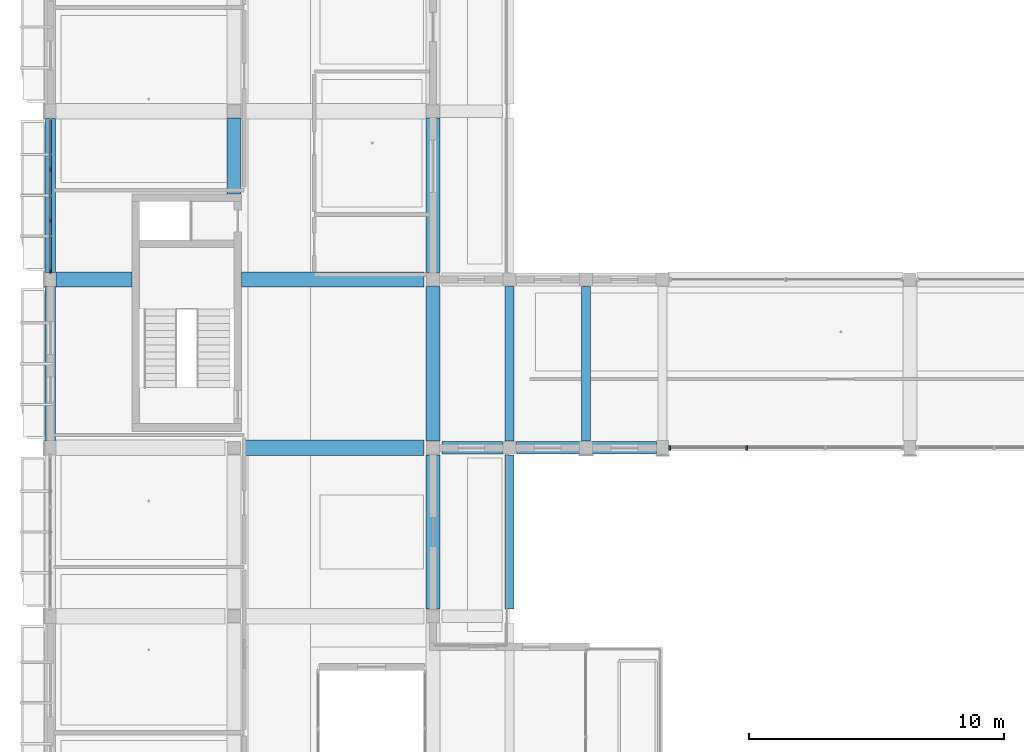
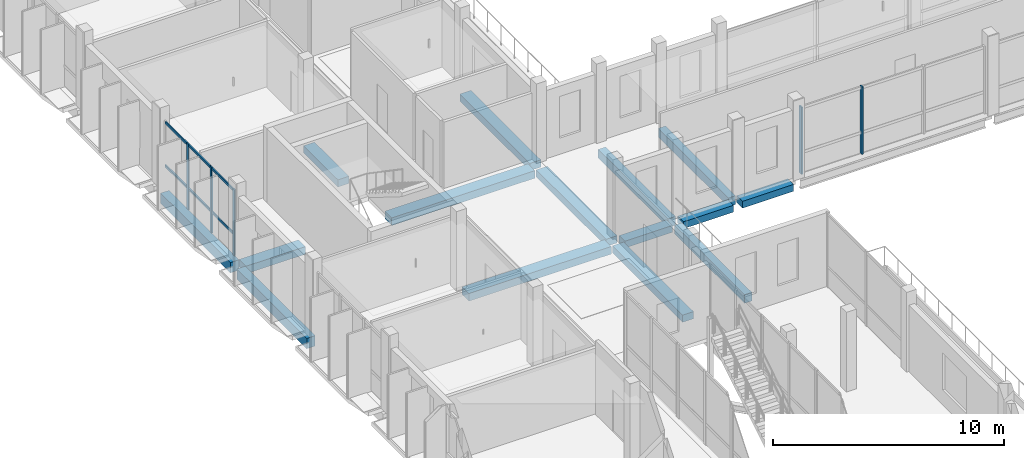
# One storey, part 12 of 85: 15 beams, 7 members, 2 elements without a shape of their own.
"""IFC4 building model written with IfcOpenShell, lengths in metres."""

from ifc_helpers import new_model, si_unit, derived_unit, direction, frame, origin, origin_2d, place, context, subcontext, project, spatial, rectangle, extrude, material, material_profile, profile_set, type_object, element, aggregate, save


model = new_model("IFC4")

# Units and contexts
model_context = context("Model", 3, precision=1e-05, world=origin(), true_north=direction((0.0, 1.0)))
body_context = subcontext(model_context, "Body", "Model", "MODEL_VIEW")
ifc_project = project(units=[si_unit("LENGTHUNIT", "METRE"), si_unit("AREAUNIT", "SQUARE_METRE"), si_unit("VOLUMEUNIT", "CUBIC_METRE"), si_unit("PLANEANGLEUNIT", "RADIAN"), si_unit("MASSUNIT", "GRAM", prefix="KILO"), derived_unit("THERMALTRANSMITTANCEUNIT", [(si_unit("POWERUNIT", "WATT"), 1), (si_unit("LENGTHUNIT", "METRE"), -2), (si_unit("THERMODYNAMICTEMPERATUREUNIT", "KELVIN"), -1)])], contexts=[model_context])

# Site, building, storey
site_placement = place(None, origin())
site = spatial("IfcSite", under=ifc_project, at=site_placement, CompositionType="ELEMENT")
building_placement = place(site_placement, origin())
building = spatial("IfcBuilding", under=site, at=building_placement, Name="Braskholm Square Health Centre", CompositionType="ELEMENT")
storey_placement = place(building_placement, frame((0.0, 0.0, 9.300048828125)))
storey = spatial("IfcBuildingStorey", under=building, at=storey_placement, Name="L03", CompositionType="ELEMENT", Elevation=9.300048828125)

# Curtain wall, members
ifc_material_1 = material(Name="Low-E triple insulating glass (VLT 0.64)", Category="glass")
curtain_wall_type = type_object("IfcCurtainWallType", Name="UnitisedCurtainWall6200x3650", PredefinedType="NOTDEFINED", material=ifc_material_1)
curtain_wall_1_placement = place(storey_placement, origin())
curtain_wall_1 = element("IfcCurtainWall", 1, at=curtain_wall_1_placement, inside=storey, type_object=curtain_wall_type, Name="West Outer unitised curtain wall CW-L03-0020", PredefinedType="NOTDEFINED")
ifc_material_2 = material(Name="Architectural bronze anodised aluminium", Category="aluminium")
ifc_material_profile_1 = material_profile(ifc_material_2, rectangle(XDim=0.06494140625, YDim=0.14990234375, at=origin_2d()), Name="ALU-65X150")
ifc_profile_set_1 = profile_set([ifc_material_profile_1], Name="Architectural bronze anodised aluminium")
member_type_1 = type_object("IfcMemberType", Name="CurtainWallMullion65x150", PredefinedType="MULLION", material=ifc_profile_set_1)
member_1_placement = place(storey_placement, frame((4.199951171875, 98.103271484375, 0.0), z_axis=(0.0, 0.0, 1.0), x_axis=(1.0, 0.0, 0.0)))
member_1 = element("IfcMember", 2, at=member_1_placement, type_object=member_type_1, Name="CW-L03-0020 vertical mullion 2", PredefinedType="MULLION", context=body_context, shape_type="SweptSolid", body=[
    extrude(rectangle(XDim=0.06494140625, YDim=0.14990234375, at=origin_2d()), origin(), (0.0, 0.0, 1.0), 3.47998046875),
])
member_2_placement = place(storey_placement, frame((4.199951171875, 96.0966796875, 0.0), z_axis=(0.0, 0.0, 1.0), x_axis=(1.0, 0.0, 0.0)))
member_2 = element("IfcMember", 3, at=member_2_placement, type_object=member_type_1, Name="CW-L03-0020 vertical mullion 3", PredefinedType="MULLION", context=body_context, shape_type="SweptSolid", body=[
    extrude(rectangle(XDim=0.06494140625, YDim=0.14990234375, at=origin_2d()), origin(), (0.0, 0.0, 1.0), 3.47998046875),
])
member_3_placement = place(storey_placement, frame((4.199951171875, 94.126220703125, 0.0), z_axis=(0.0, 0.0, 1.0), x_axis=(1.0, 0.0, 0.0)))
member_3 = element("IfcMember", 4, at=member_3_placement, type_object=member_type_1, Name="CW-L03-0020 vertical mullion 4", PredefinedType="MULLION", context=body_context, shape_type="SweptSolid", body=[
    extrude(rectangle(XDim=0.06494140625, YDim=0.14990234375, at=origin_2d()), origin(), (0.0, 0.0, 1.0), 3.47998046875),
])

curtain_wall_2_placement = place(storey_placement, origin())
curtain_wall_2 = element("IfcCurtainWall", 5, at=curtain_wall_2_placement, inside=storey, type_object=curtain_wall_type, Name="Hall Clerestory L03 unitised curtain wall CW-L03-0173", PredefinedType="NOTDEFINED")
ifc_material_profile_2 = material_profile(ifc_material_2, rectangle(XDim=0.074951171875, YDim=0.179931640625, at=origin_2d()), Name="ALU-75X180")
ifc_profile_set_2 = profile_set([ifc_material_profile_2], Name="Architectural bronze anodised aluminium")
member_type_2 = type_object("IfcMemberType", Name="CurtainWallMullion75x180", PredefinedType="MULLION", material=ifc_profile_set_2)
member_4_placement = place(storey_placement, frame((28.4873046875, 87.199951171875, 0.0), z_axis=(0.0, 0.0, 1.0), x_axis=(1.0, 0.0, 0.0)))
member_4 = element("IfcMember", 6, at=member_4_placement, type_object=member_type_2, Name="CW-L03-0173 vertical mullion 1", PredefinedType="MULLION", context=body_context, shape_type="SweptSolid", body=[
    extrude(rectangle(XDim=0.074951171875, YDim=0.179931640625, at=origin_2d()), origin(), (0.0, 0.0, 1.0), 3.550048828125),
])
member_5_placement = place(storey_placement, frame((31.5107421875, 87.199951171875, 0.0), z_axis=(0.0, 0.0, 1.0), x_axis=(1.0, 0.0, 0.0)))
member_5 = element("IfcMember", 7, at=member_5_placement, type_object=member_type_2, Name="CW-L03-0173 vertical mullion 2", PredefinedType="MULLION", context=body_context, shape_type="SweptSolid", body=[
    extrude(rectangle(XDim=0.074951171875, YDim=0.179931640625, at=origin_2d()), origin(), (0.0, 0.0, 1.0), 3.550048828125),
])
aggregate(curtain_wall_2, [member_4, member_5])

# Member
ifc_material_profile_3 = material_profile(ifc_material_2, rectangle(XDim=0.06494140625, YDim=0.1201171875, at=origin_2d()), Name="ALU-65X120")
ifc_profile_set_3 = profile_set([ifc_material_profile_3], Name="Architectural bronze anodised aluminium")
member_type_3 = type_object("IfcMemberType", Name="CurtainWallTransom65x120", PredefinedType="USERDEFINED", material=ifc_profile_set_3)
member_6_placement = place(storey_placement, frame((4.199951171875, 100.06494140625, 1.119873046875), z_axis=(0.0, -1.0, 0.0), x_axis=(1.0, 0.0, 0.0)))
member_6 = element("IfcMember", 8, at=member_6_placement, type_object=member_type_3, Name="CW-L03-0020 horizontal transom 1", ObjectType="TRANSOM", PredefinedType="USERDEFINED", context=body_context, shape_type="SweptSolid", body=[
    extrude(rectangle(XDim=0.06494140625, YDim=0.1201171875, at=origin_2d()), origin(), (0.0, 0.0, 1.0), 5.929931640625),
])

member_7_placement = place(storey_placement, frame((4.199951171875, 100.06494140625, 3.409912109375), z_axis=(0.0, -1.0, 0.0), x_axis=(1.0, 0.0, 0.0)))
member_7 = element("IfcMember", 9, at=member_7_placement, type_object=member_type_3, Name="CW-L03-0020 horizontal transom 2", ObjectType="TRANSOM", PredefinedType="USERDEFINED", context=body_context, shape_type="SweptSolid", body=[
    extrude(rectangle(XDim=0.06494140625, YDim=0.1201171875, at=origin_2d()), origin(), (0.0, 0.0, 1.0), 5.929931640625),
])

aggregate(curtain_wall_1, [member_1, member_2, member_3, member_6, member_7])

# Beams
ifc_material_3 = material(Name="Concrete C35/45 (f'c = 35 MPa)", Category="concrete")
ifc_material_profile_4 = material_profile(ifc_material_3, rectangle(XDim=0.5, YDim=0.360107421875, at=origin_2d()), Name="RCB-500X360")
ifc_profile_set_4 = profile_set([ifc_material_profile_4], Name="Concrete C35/45 (f'c = 35 MPa)")
beam_type_1 = type_object("IfcBeamType", Name="PrimaryBandBeam500x360", PredefinedType="BEAM", material=ifc_profile_set_4)
beam_1_placement = place(storey_placement, frame((19.550048828125, 87.199951171875, -0.47998046875), z_axis=(1.0, 0.0, 0.0), x_axis=(0.0, 1.0, 0.0)))
element("IfcBeam", 10, at=beam_1_placement, inside=storey, type_object=beam_type_1, Name="Beam 3-4/N L03", PredefinedType="BEAM", context=body_context, shape_type="SweptSolid", body=[
    extrude(rectangle(XDim=0.5, YDim=0.360107421875, at=origin_2d()), origin(), (0.0, 0.0, 1.0), 2.375),
])
beam_2_placement = place(storey_placement, frame((22.47509765625, 87.199951171875, -0.47998046875), z_axis=(1.0, 0.0, 0.0), x_axis=(0.0, 1.0, 0.0)))
element("IfcBeam", 11, at=beam_2_placement, inside=storey, type_object=beam_type_1, Name="Beam 4-5/N L03", PredefinedType="BEAM", context=body_context, shape_type="SweptSolid", body=[
    extrude(rectangle(XDim=0.5, YDim=0.360107421875, at=origin_2d()), origin(), (0.0, 0.0, 1.0), 2.5048828125),
])
beam_3_placement = place(storey_placement, frame((25.419921875, 87.199951171875, -0.429931640625), z_axis=(1.0, 0.0, 0.0), x_axis=(0.0, 1.0, 0.0)))
element("IfcBeam", 12, at=beam_3_placement, inside=storey, type_object=beam_type_1, Name="Beam 5-6/N L03", PredefinedType="BEAM", context=body_context, shape_type="SweptSolid", body=[
    extrude(rectangle(XDim=0.5, YDim=0.360107421875, at=origin_2d()), origin(), (0.0, 0.0, 1.0), 2.550048828125),
])
ifc_material_profile_5 = material_profile(ifc_material_3, rectangle(XDim=0.550048828125, YDim=0.3798828125, at=origin_2d()), Name="RCB-550X380")
ifc_profile_set_5 = profile_set([ifc_material_profile_5], Name="Concrete C35/45 (f'c = 35 MPa)")
beam_type_2 = type_object("IfcBeamType", Name="PrimaryBandBeam550x380", PredefinedType="BEAM", material=ifc_profile_set_5)
beam_4_placement = place(storey_placement, frame((11.39990234375, 97.14990234375, -0.489990234375), z_axis=(0.0, 1.0, 0.0), x_axis=(-1.0, 0.0, 0.0)))
element("IfcBeam", 13, at=beam_4_placement, inside=storey, type_object=beam_type_2, Name="Beam 2/N-Q L03", PredefinedType="BEAM", context=body_context, shape_type="SweptSolid", body=[
    extrude(rectangle(XDim=0.550048828125, YDim=0.3798828125, at=origin_2d()), origin(), (0.0, 0.0, 1.0), 2.97509765625),
])
beam_5_placement = place(storey_placement, frame((19.199951171875, 80.875, -0.489990234375), z_axis=(0.0, 1.0, 0.0), x_axis=(-1.0, 0.0, 0.0)))
element("IfcBeam", 14, at=beam_5_placement, inside=storey, type_object=beam_type_2, Name="Beam 3/M-N L03", PredefinedType="BEAM", context=body_context, shape_type="SweptSolid", body=[
    extrude(rectangle(XDim=0.550048828125, YDim=0.3798828125, at=origin_2d()), origin(), (0.0, 0.0, 1.0), 6.050048828125),
])
beam_6_placement = place(storey_placement, frame((19.199951171875, 87.47509765625, -0.489990234375), z_axis=(0.0, 1.0, 0.0), x_axis=(-1.0, 0.0, 0.0)))
element("IfcBeam", 15, at=beam_6_placement, inside=storey, type_object=beam_type_2, Name="Beam 3/N-P L03", PredefinedType="BEAM", context=body_context, shape_type="SweptSolid", body=[
    extrude(rectangle(XDim=0.550048828125, YDim=0.3798828125, at=origin_2d()), origin(), (0.0, 0.0, 1.0), 6.0498046875),
])
beam_7_placement = place(storey_placement, frame((19.199951171875, 94.074951171875, -0.489990234375), z_axis=(0.0, 1.0, 0.0), x_axis=(-1.0, 0.0, 0.0)))
element("IfcBeam", 16, at=beam_7_placement, inside=storey, type_object=beam_type_2, Name="Beam 3/P-Q L03", PredefinedType="BEAM", context=body_context, shape_type="SweptSolid", body=[
    extrude(rectangle(XDim=0.550048828125, YDim=0.3798828125, at=origin_2d()), origin(), (0.0, 0.0, 1.0), 6.050048828125),
])
ifc_material_profile_6 = material_profile(ifc_material_3, rectangle(XDim=0.60009765625, YDim=0.39990234375, at=origin_2d()), Name="RCB-600X400")
ifc_profile_set_6 = profile_set([ifc_material_profile_6], Name="Concrete C35/45 (f'c = 35 MPa)")
beam_type_3 = type_object("IfcBeamType", Name="PrimaryBandBeam600x400", PredefinedType="BEAM", material=ifc_profile_set_6)
beam_8_placement = place(storey_placement, frame((11.75, 87.199951171875, -0.5), z_axis=(1.0, 0.0, 0.0), x_axis=(0.0, 1.0, 0.0)))
element("IfcBeam", 17, at=beam_8_placement, inside=storey, type_object=beam_type_3, Name="Beam 2-3/N L03", PredefinedType="BEAM", context=body_context, shape_type="SweptSolid", body=[
    extrude(rectangle(XDim=0.60009765625, YDim=0.39990234375, at=origin_2d()), origin(), (0.0, 0.0, 1.0), 7.10009765625),
])
beam_9_placement = place(storey_placement, frame((4.429931640625, 93.800048828125, -0.5), z_axis=(1.0, 0.0, 0.0), x_axis=(0.0, 1.0, 0.0)))
element("IfcBeam", 18, at=beam_9_placement, inside=storey, type_object=beam_type_3, Name="Beam 1-3/P L03", PredefinedType="BEAM", context=body_context, shape_type="SweptSolid", body=[
    extrude(rectangle(XDim=0.60009765625, YDim=0.39990234375, at=origin_2d()), origin(), (0.0, 0.0, 1.0), 2.969970703125),
])
beam_10_placement = place(storey_placement, frame((11.699951171875, 93.800048828125, -0.5), z_axis=(1.0, 0.0, 0.0), x_axis=(0.0, 1.0, 0.0)))
element("IfcBeam", 19, at=beam_10_placement, inside=storey, type_object=beam_type_3, Name="Beam 1-3/P L03", PredefinedType="BEAM", context=body_context, shape_type="SweptSolid", body=[
    extrude(rectangle(XDim=0.60009765625, YDim=0.39990234375, at=origin_2d()), origin(), (0.0, 0.0, 1.0), 7.150146484375),
])
ifc_material_4 = material(Name="Precast concrete C40/50 architectural white", Category="concrete")
ifc_material_profile_7 = material_profile(ifc_material_4, rectangle(XDim=0.419921875, YDim=0.550048828125, at=origin_2d()), Name="RCB-420X550")
ifc_profile_set_7 = profile_set([ifc_material_profile_7], Name="Precast concrete C40/50 architectural white")
beam_type_4 = type_object("IfcBeamType", Name="SpandrelPrecastLedge420x550", PredefinedType="SPANDREL", material=ifc_profile_set_7)
for number, where, z_axis, x_axis, name in (
    (20, (4.199951171875, 87.47998046875, -0.574951171875), (0.0, 1.0, 0.0), (-1.0, 0.0, 0.0), "Beam 1/N-P L03"),
    (21, (4.199951171875, 94.080078125, -0.574951171875), (0.0, 1.0, 0.0), (-1.0, 0.0, 0.0), "Beam 1/P-Q L03"),
):
    element("IfcBeam", number, at=place(storey_placement, frame(where, z_axis=z_axis, x_axis=x_axis)), inside=storey, type_object=beam_type_4, Name=name, PredefinedType="SPANDREL", context=body_context, shape_type="SweptSolid", body=[
        extrude(rectangle(XDim=0.419921875, YDim=0.550048828125, at=origin_2d()), origin(), (0.0, 0.0, 1.0), 6.0400390625),
    ])
ifc_material_profile_8 = material_profile(ifc_material_4, rectangle(XDim=0.360107421875, YDim=0.4599609375, at=origin_2d()), Name="RCB-360X460")
ifc_profile_set_8 = profile_set([ifc_material_profile_8], Name="Precast concrete C40/50 architectural white")
beam_type_5 = type_object("IfcBeamType", Name="SpandrelTerraceEdge360x460", PredefinedType="SPANDREL", material=ifc_profile_set_8)
beam_11_placement = place(storey_placement, frame((22.199951171875, 80.875, -0.530029296875), z_axis=(0.0, 1.0, 0.0), x_axis=(-1.0, 0.0, 0.0)))
element("IfcBeam", 22, at=beam_11_placement, inside=storey, type_object=beam_type_5, Name="Beam 4/M-N L03", PredefinedType="SPANDREL", context=body_context, shape_type="SweptSolid", body=[
    extrude(rectangle(XDim=0.360107421875, YDim=0.4599609375, at=origin_2d()), origin(), (0.0, 0.0, 1.0), 6.050048828125),
])
beam_12_placement = place(storey_placement, frame((22.199951171875, 87.47509765625, -0.530029296875), z_axis=(0.0, 1.0, 0.0), x_axis=(-1.0, 0.0, 0.0)))
element("IfcBeam", 23, at=beam_12_placement, inside=storey, type_object=beam_type_5, Name="Beam 4/N-P L03", PredefinedType="SPANDREL", context=body_context, shape_type="SweptSolid", body=[
    extrude(rectangle(XDim=0.360107421875, YDim=0.4599609375, at=origin_2d()), origin(), (0.0, 0.0, 1.0), 6.0498046875),
])
beam_13_placement = place(storey_placement, frame((25.199951171875, 87.469970703125, -0.47998046875), z_axis=(0.0, 1.0, 0.0), x_axis=(-1.0, 0.0, 0.0)))
element("IfcBeam", 24, at=beam_13_placement, inside=storey, type_object=beam_type_5, Name="Beam 5/N-P L03", PredefinedType="SPANDREL", context=body_context, shape_type="SweptSolid", body=[
    extrude(rectangle(XDim=0.360107421875, YDim=0.4599609375, at=origin_2d()), origin(), (0.0, 0.0, 1.0), 6.06005859375),
])

save(model, "model.ifc")
